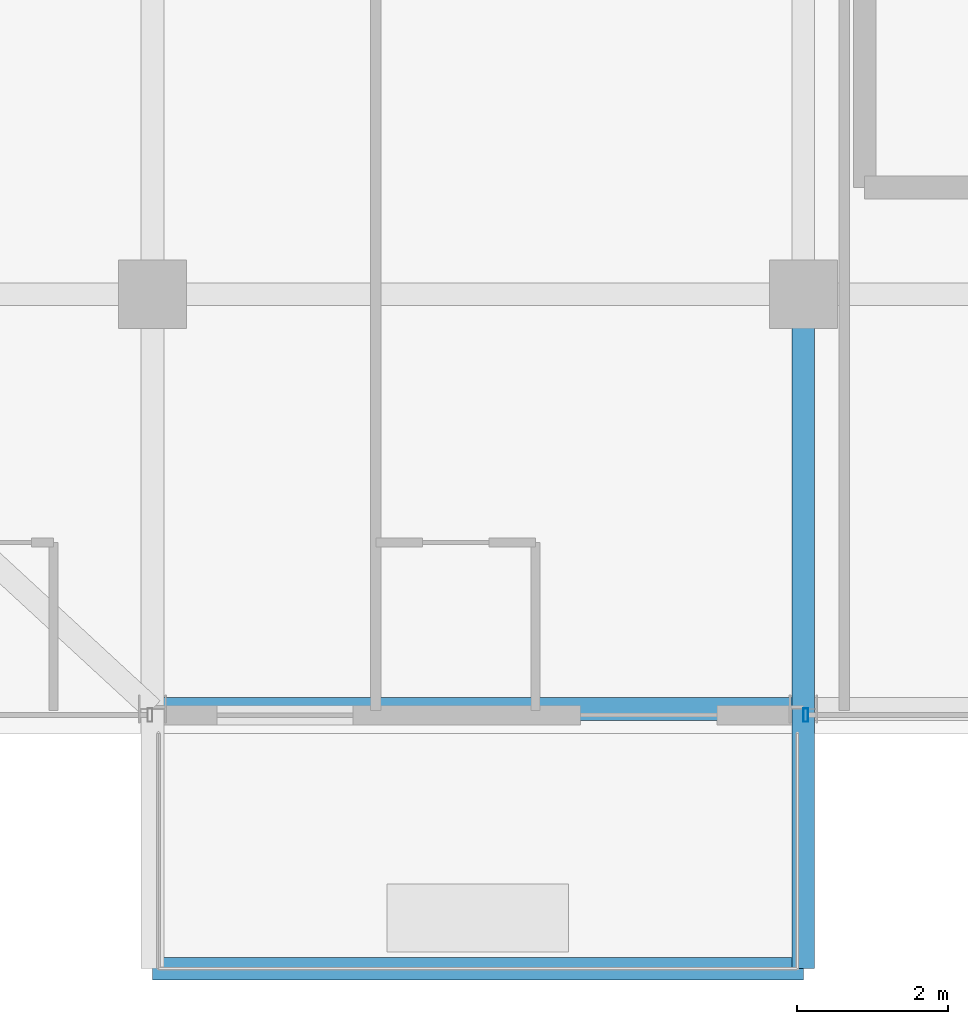
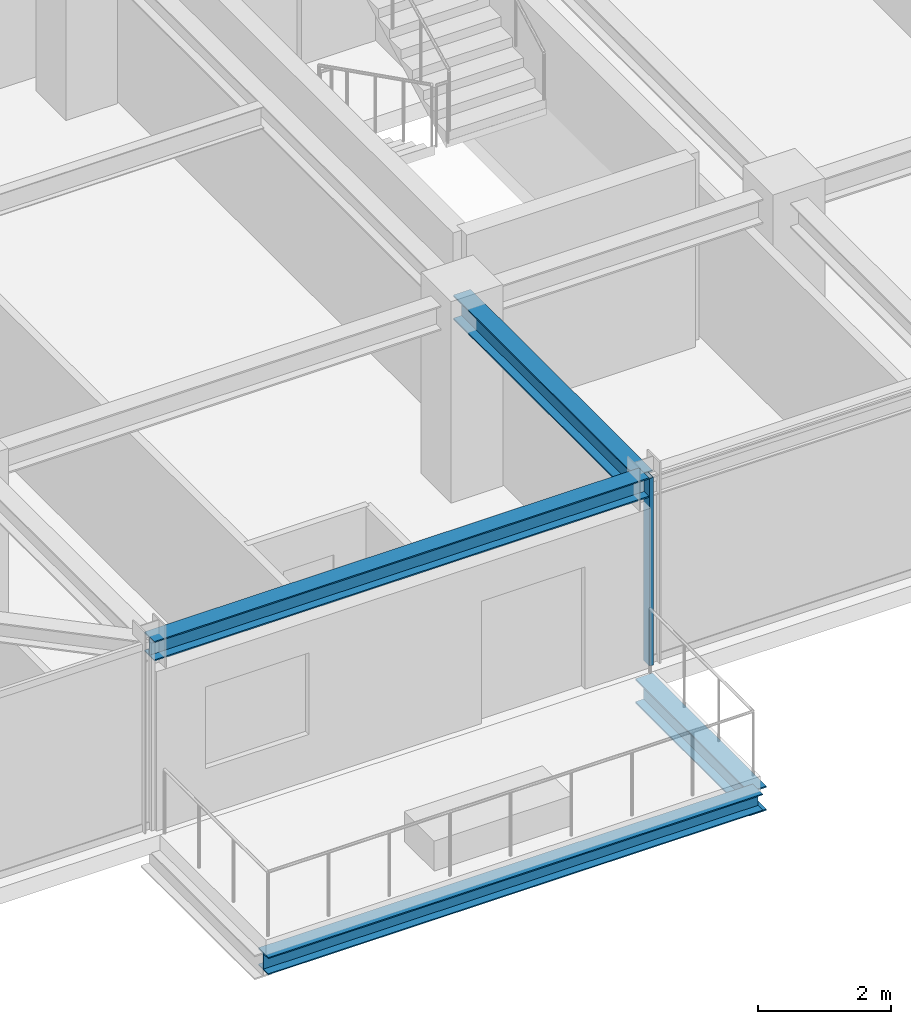
# One storey, part 5 of 33: 4 beams, 1 member, 1 element without a shape of its own.
"""IFC4 building model written with IfcOpenShell, lengths in metres."""

from ifc_helpers import new_model, si_unit, direction, frame, origin, origin_2d, place, context, subcontext, project, spatial, hollow_rectangle, i_section, extrude, source, transform, mapped, material, material_profile, profile_set, type_object, element, aggregate, save


model = new_model("IFC4")

# Units and contexts
model_context = context("Model", 3, precision=1e-05, world=origin(), true_north=direction((0.0, 1.0)))
body_context = subcontext(model_context, "Body", "Model", "MODEL_VIEW")
ifc_project = project(units=[si_unit("LENGTHUNIT", "METRE"), si_unit("AREAUNIT", "SQUARE_METRE"), si_unit("VOLUMEUNIT", "CUBIC_METRE"), si_unit("PLANEANGLEUNIT", "RADIAN"), si_unit("MASSUNIT", "GRAM", prefix="KILO")], contexts=[model_context])

# Site, building, storey
site_placement = place(None, origin())
site = spatial("IfcSite", under=ifc_project, at=site_placement, CompositionType="ELEMENT")
building_placement = place(site_placement, origin())
building = spatial("IfcBuilding", under=site, at=building_placement, Name="Nahalor Promenade Grand Hotel", CompositionType="ELEMENT")
storey_placement = place(building_placement, frame((0.0, 0.0, 270.050048828125)))
storey = spatial("IfcBuildingStorey", under=building, at=storey_placement, Name="L69", CompositionType="ELEMENT", Elevation=270.050048828125)

# Beams
ifc_material_1 = material(Name="Steel S355JR", Category="steel")
ifc_material_profile_1 = material_profile(ifc_material_1, i_section(OverallWidth=0.3, OverallDepth=0.32, WebThickness=0.0115, FlangeThickness=0.0205, at=origin_2d()), Name="HEB 320")
ifc_profile_set_1 = profile_set([ifc_material_profile_1], Name="Steel S355JR")
beam_type_1 = type_object("IfcBeamType", Name="Beam-BalcEdge-HEB320", PredefinedType="SPANDREL", material=ifc_profile_set_1)
shared_shape_1 = source(origin(), body_context, "Body", "SweptSolid", [
    extrude(i_section(OverallWidth=0.3, OverallDepth=0.32, WebThickness=0.0115, FlangeThickness=0.0205, at=origin_2d()), origin(), (0.0, 0.0, 1.0), 8.60009765625),
])
beam_1_placement = place(storey_placement, frame((-17.0, -25.909912109375, -0.43994140625), z_axis=(1.0, 0.0, 0.0), x_axis=(0.0, 1.0, 0.0)))
element("IfcBeam", 1, at=beam_1_placement, inside=storey, type_object=beam_type_1, Name="BM-L69-BC-01-F", PredefinedType="SPANDREL", context=body_context, shape_type="MappedRepresentation", body=[
    mapped(shared_shape_1, transform((0.0, 0.0, 0.0), scale=1.0)),
])
ifc_material_profile_2 = material_profile(ifc_material_1, i_section(OverallWidth=0.3, OverallDepth=0.45, WebThickness=0.014, FlangeThickness=0.026, at=origin_2d()), Name="HEB 450")
ifc_profile_set_2 = profile_set([ifc_material_profile_2], Name="Steel S355JR")
beam_type_2 = type_object("IfcBeamType", Name="Beam-Outrigger-HEB450", PredefinedType="BEAM", material=ifc_profile_set_2)
shared_shape_2 = source(origin(), body_context, "Body", "SweptSolid", [
    extrude(i_section(OverallWidth=0.3, OverallDepth=0.45, WebThickness=0.014, FlangeThickness=0.026, at=origin_2d()), origin(), (0.0, 0.0, 1.0), 3.429931640625),
])
beam_2_placement = place(storey_placement, frame((-8.39990234375, -25.909912109375, -0.505126953125), z_axis=(0.0, 1.0, 0.0), x_axis=(-1.0, 0.0, 0.0)))
element("IfcBeam", 2, at=beam_2_placement, inside=storey, type_object=beam_type_2, Name="BM-L69-BC-01-2", PredefinedType="BEAM", context=body_context, shape_type="MappedRepresentation", body=[
    mapped(shared_shape_2, transform((0.0, 0.0, 0.0), scale=1.0)),
])
ifc_material_profile_3 = material_profile(ifc_material_1, i_section(OverallWidth=0.3, OverallDepth=0.45, WebThickness=0.014, FlangeThickness=0.026, at=origin_2d()), Name="HEB 450")
ifc_profile_set_3 = profile_set([ifc_material_profile_3], Name="Steel S355JR")
beam_type_3 = type_object("IfcBeamType", Name="Beam-Girder-HEB450", PredefinedType="BEAM", material=ifc_profile_set_3)
shared_shape_3 = source(origin(), body_context, "Body", "SweptSolid", [
    extrude(i_section(OverallWidth=0.3, OverallDepth=0.45, WebThickness=0.014, FlangeThickness=0.026, at=origin_2d()), origin(), (0.0, 0.0, 1.0), 5.47998046875),
])
beam_3_placement = place(storey_placement, frame((-8.39990234375, -22.47998046875, 3.224853515625), z_axis=(0.0, 1.0, 0.0), x_axis=(-1.0, 0.0, 0.0)))
element("IfcBeam", 3, at=beam_3_placement, inside=storey, type_object=beam_type_3, Name="BM-L69-GY-1-0", PredefinedType="BEAM", context=body_context, shape_type="MappedRepresentation", body=[
    mapped(shared_shape_3, transform((0.0, 0.0, 0.0), scale=1.0)),
])
ifc_material_profile_4 = material_profile(ifc_material_1, i_section(OverallWidth=0.3, OverallDepth=0.36, WebThickness=0.0125, FlangeThickness=0.0225, at=origin_2d()), Name="HEB 360")
ifc_profile_set_4 = profile_set([ifc_material_profile_4], Name="Steel S355JR")
beam_type_4 = type_object("IfcBeamType", Name="Beam-Spandrel-HEB360", PredefinedType="SPANDREL", material=ifc_profile_set_4)
shared_shape_4 = source(origin(), body_context, "Body", "SweptSolid", [
    extrude(i_section(OverallWidth=0.3, OverallDepth=0.36, WebThickness=0.0125, FlangeThickness=0.0225, at=origin_2d()), origin(), (0.0, 0.0, 1.0), 8.60009765625),
])
beam_4_placement = place(storey_placement, frame((-17.0, -22.47998046875, 3.27001953125), z_axis=(1.0, 0.0, 0.0), x_axis=(0.0, 1.0, 0.0)))
element("IfcBeam", 4, at=beam_4_placement, inside=storey, type_object=beam_type_4, Name="BM-L69-SP-S-0", PredefinedType="SPANDREL", context=body_context, shape_type="MappedRepresentation", body=[
    mapped(shared_shape_4, transform((0.0, 0.0, 0.0), scale=1.0)),
])

# Curtain wall, member
ifc_material_2 = material(Name="Anodised Bronze Aluminium EN AW-6063 T6", Category="aluminium")
curtain_wall_type = type_object("IfcCurtainWallType", Name="CW2 Typical Hotel Flush Bronze Unitised Curtain Wall", PredefinedType="USERDEFINED", material=ifc_material_2)
curtain_wall_placement = place(storey_placement, origin())
curtain_wall = element("IfcCurtainWall", 5, at=curtain_wall_placement, inside=storey, type_object=curtain_wall_type, Name="L69 Curtain Wall CW-L69-S-3", ObjectType="UNITISED_CURTAIN_WALL", PredefinedType="USERDEFINED")
ifc_material_profile_5 = material_profile(ifc_material_2, hollow_rectangle(XDim=0.065, YDim=0.18, WallThickness=0.004, at=origin_2d()), Name="CWM 65x180x4")
ifc_profile_set_5 = profile_set([ifc_material_profile_5], Name="Anodised Bronze Aluminium EN AW-6063 T6")
member_type = type_object("IfcMemberType", Name="CWM2 Typical Bronze Mullion 65x180", PredefinedType="MULLION", material=ifc_profile_set_5)
shared_shape_5 = source(origin(), body_context, "Body", "SweptSolid", [
    extrude(hollow_rectangle(XDim=0.065, YDim=0.18, WallThickness=0.004, at=origin_2d()), origin(), (0.0, 0.0, 1.0), 3.449951171875),
])
member_placement = place(storey_placement, frame((-8.367431640625, -22.56005859375, 0.0), z_axis=(0.0, 0.0, 1.0), x_axis=(1.0, 0.0, 0.0)))
member = element("IfcMember", 6, at=member_placement, type_object=member_type, Name="CW-L69-S-3 Mullion 0", PredefinedType="MULLION", context=body_context, shape_type="MappedRepresentation", body=[
    mapped(shared_shape_5, transform((0.0, 0.0, 0.0), scale=1.0)),
])
aggregate(curtain_wall, [member])

save(model, "model.ifc")
